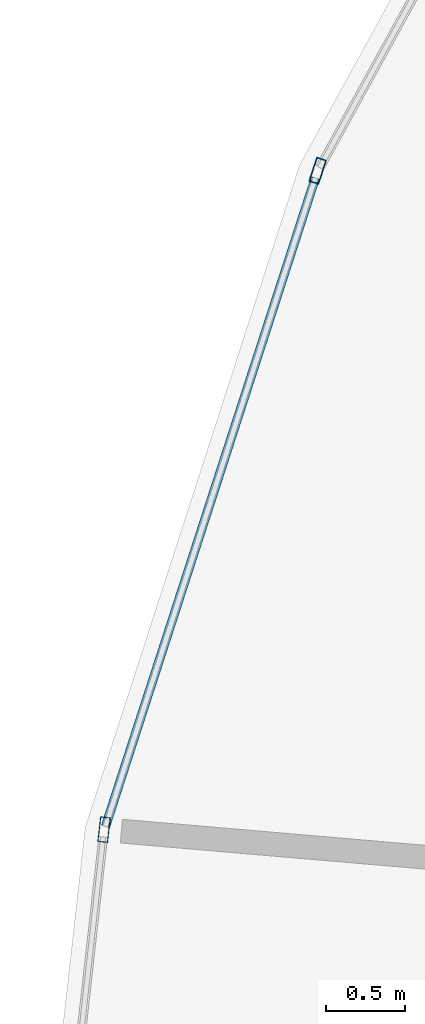
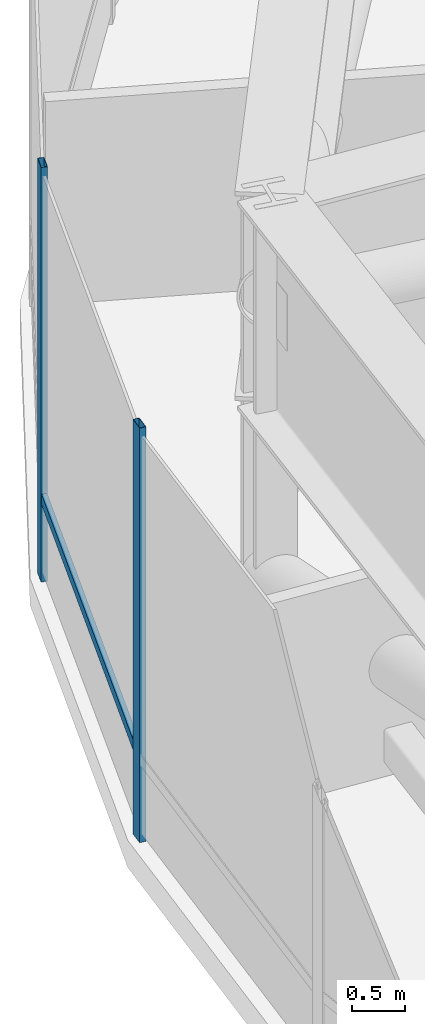
# One storey, part 9 of 33: 3 members, 1 element without a shape of its own.
"""IFC4 building model written with IfcOpenShell, lengths in metres."""

from ifc_helpers import new_model, si_unit, direction, frame, origin, origin_2d, place, context, subcontext, project, spatial, hollow_rectangle, extrude, source, transform, mapped, material, layer, layer_set, material_profile, profile_set, type_object, element, aggregate, save


model = new_model("IFC4")

# Units and contexts
model_context = context("Model", 3, precision=1e-05, world=origin(), true_north=direction((0.0, 1.0)))
body_context = subcontext(model_context, "Body", "Model", "MODEL_VIEW")
ifc_project = project(units=[si_unit("LENGTHUNIT", "METRE"), si_unit("AREAUNIT", "SQUARE_METRE"), si_unit("VOLUMEUNIT", "CUBIC_METRE"), si_unit("PLANEANGLEUNIT", "RADIAN"), si_unit("MASSUNIT", "GRAM", prefix="KILO"), si_unit("THERMODYNAMICTEMPERATUREUNIT", "KELVIN")], contexts=[model_context])

# Site, building, storey
site_placement = place(None, origin())
site = spatial("IfcSite", under=ifc_project, at=site_placement, CompositionType="ELEMENT")
building_placement = place(site_placement, origin())
building = spatial("IfcBuilding", under=site, at=building_placement, Name="Kethvar Cultural Tower", CompositionType="ELEMENT")
storey_placement = place(building_placement, frame((0.0, 0.0, 80.39990234375)))
storey = spatial("IfcBuildingStorey", under=building, at=storey_placement, Name="L19", CompositionType="ELEMENT", Elevation=80.39990234375)

# Curtain wall, members
ifc_material = material(Name="Aluminium 6063-T6", Category="aluminium")
ifc_layer = layer(ifc_material, 0.179931640625, Name="Aluminium 6063-T6", Category="aluminium")
ifc_layer_set = layer_set([ifc_layer], Name="Aluminium 6063-T6 (180 mm)")
curtain_wall_type = type_object("IfcCurtainWallType", Name="CW-SYS-02-Z1", PredefinedType="NOTDEFINED", material=ifc_layer_set)
curtain_wall_placement = place(storey_placement, origin())
curtain_wall = element("IfcCurtainWall", 1, at=curtain_wall_placement, inside=storey, type_object=curtain_wall_type, Name="L19 Curtain Wall Run 03", PredefinedType="NOTDEFINED")
ifc_material_profile_1 = material_profile(ifc_material, hollow_rectangle(XDim=0.06494140625, YDim=0.159912109375, WallThickness=0.0048828125, at=origin_2d()), Name="Aluminium 6063-T6 — RHS160x65x5")
ifc_profile_set_1 = profile_set([ifc_material_profile_1], Name="Aluminium 6063-T6 — RHS160x65x5")
member_type_1 = type_object("IfcMemberType", Name="CW-SYS-02-Z1-MUL", PredefinedType="MULLION", material=ifc_profile_set_1)
shared_shape_1 = source(origin(), body_context, "Body", "SweptSolid", [
    extrude(hollow_rectangle(XDim=0.06494140625, YDim=0.159912109375, WallThickness=0.0048828125, at=origin_2d()), origin(), (0.0, 0.0, 1.0), 4.760009765625),
])
member_1_placement = place(storey_placement, frame((19.450927734375, 34.42138671875, 0.0), z_axis=(0.0, 0.0, 1.0), x_axis=(0.951422595155, -0.307888040411, 0.0)))
member_1 = element("IfcMember", 2, at=member_1_placement, type_object=member_type_1, Name="CW-L19-R03 Mullion 4", PredefinedType="MULLION", context=body_context, shape_type="MappedRepresentation", body=[
    mapped(shared_shape_1, transform((0.0, 0.0, 0.0), scale=1.0)),
])
member_2_placement = place(storey_placement, frame((18.10302734375, 30.263916015625, 0.0), z_axis=(0.0, 0.0, 1.0), x_axis=(0.993767919161, -0.111468932206, 0.0)))
member_2 = element("IfcMember", 3, at=member_2_placement, type_object=member_type_1, Name="CW-L19-R03 Mullion 5", PredefinedType="MULLION", context=body_context, shape_type="MappedRepresentation", body=[
    mapped(shared_shape_1, transform((0.0, 0.0, 0.0), scale=1.0)),
])
ifc_material_profile_2 = material_profile(ifc_material, hollow_rectangle(XDim=0.054931640625, YDim=0.1201171875, WallThickness=0.00390625, at=origin_2d()), Name="Aluminium 6063-T6 — RHS120x55x4")
ifc_profile_set_2 = profile_set([ifc_material_profile_2], Name="Aluminium 6063-T6 — RHS120x55x4")
member_type_2 = type_object("IfcMemberType", Name="CW-SYS-02-Z1-TRN", PredefinedType="USERDEFINED", material=ifc_profile_set_2)
shared_shape_2 = source(origin(), body_context, "Body", "SweptSolid", [
    extrude(hollow_rectangle(XDim=0.054931640625, YDim=0.1201171875, WallThickness=0.00390625, at=origin_2d()), origin(), (0.0, 0.0, 1.0), 4.30078125),
])
member_3_placement = place(storey_placement, frame((19.4365234375, 34.376708984375, 0.9501953125), z_axis=(-0.307904923679, -0.951417131428, 0.0), x_axis=(0.951417131428, -0.307904923679, 0.0)))
member_3 = element("IfcMember", 4, at=member_3_placement, type_object=member_type_2, Name="CW-L19-R03 Transom 4", ObjectType="TRANSOM", PredefinedType="USERDEFINED", context=body_context, shape_type="MappedRepresentation", body=[
    mapped(shared_shape_2, transform((0.0, 0.0, 0.0), scale=1.0)),
])
aggregate(curtain_wall, [member_1, member_2, member_3])

save(model, "model.ifc")
